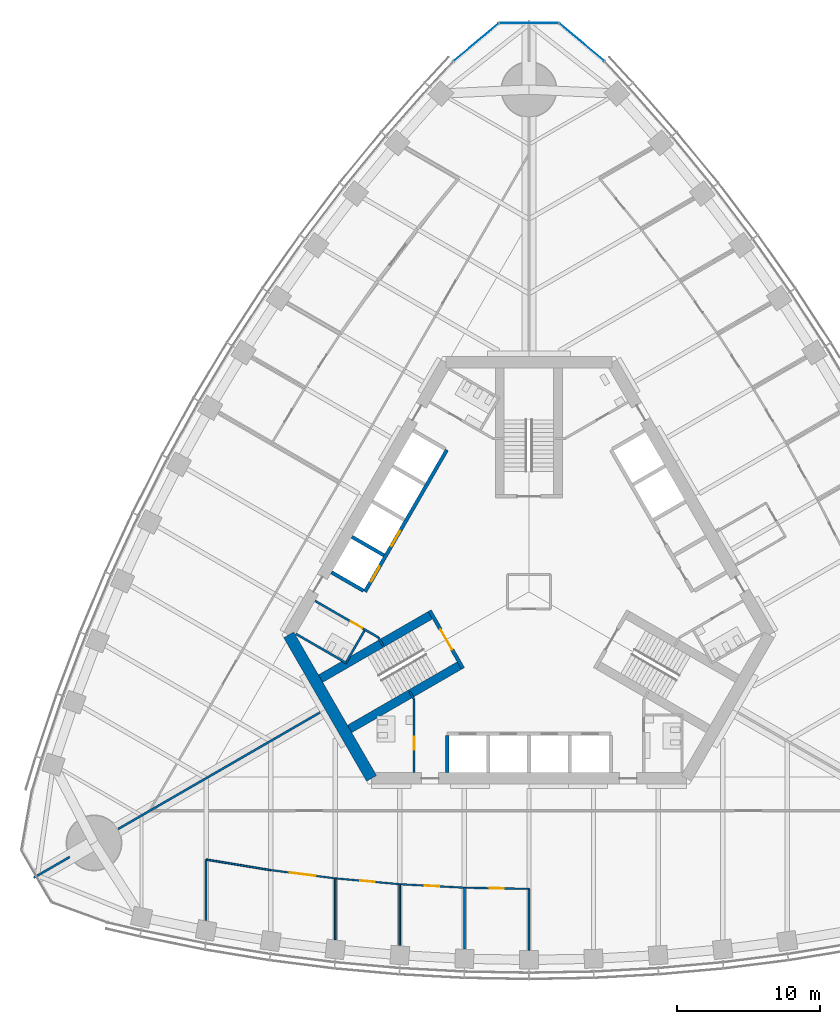
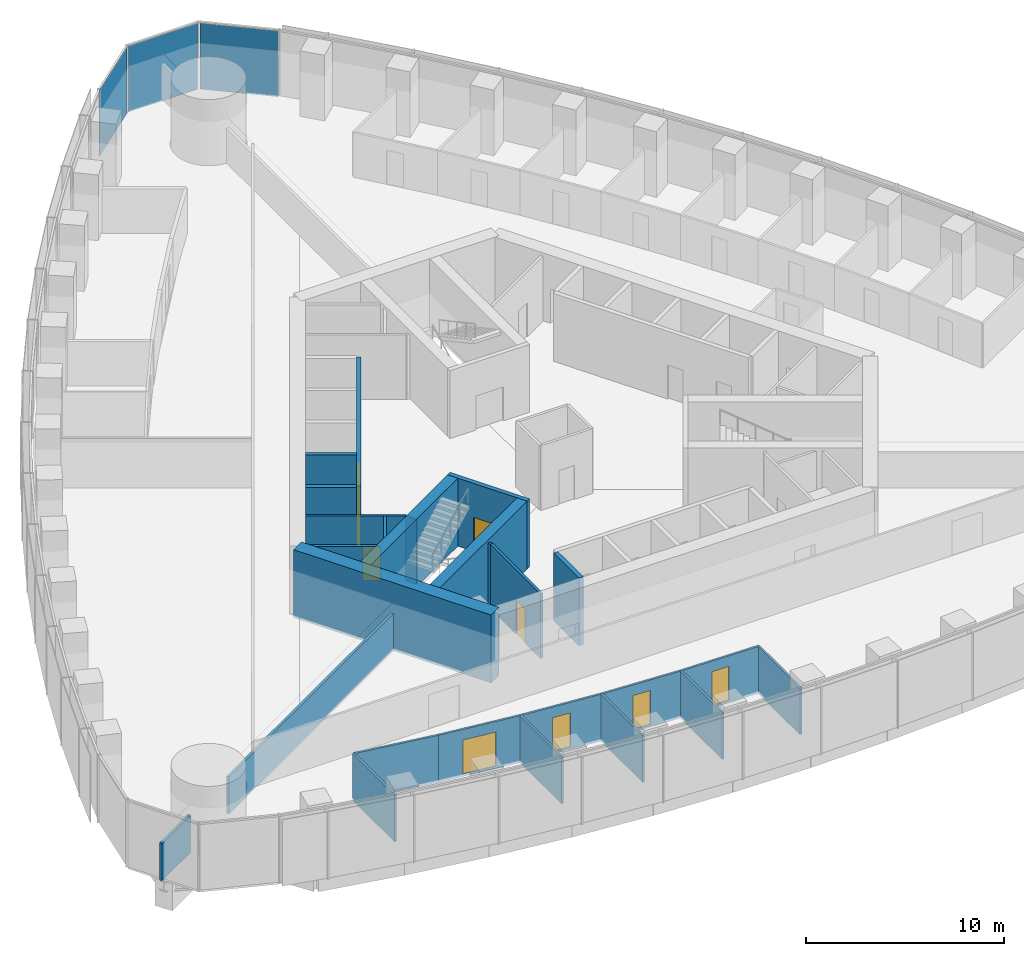
# One storey, part 11 of 19: 26 walls, 9 doors, 3 plates, 9 openings, 1 element without a shape of its own.
"""IFC4 building model written with IfcOpenShell, lengths in metres."""

from ifc_helpers import new_model, si_unit, direction, frame, frame_2d, origin, origin_2d, place, context, subcontext, project, spatial, rectangle, extrude, material, layer, layer_set, type_object, element, fill, aggregate, save


model = new_model("IFC4")

# Units and contexts
model_context = context("Model", 3, precision=1e-05, world=origin(), true_north=direction((0.0, 1.0)))
body_context = subcontext(model_context, "Body", "Model", "MODEL_VIEW")
ifc_project = project(units=[si_unit("LENGTHUNIT", "METRE"), si_unit("AREAUNIT", "SQUARE_METRE"), si_unit("VOLUMEUNIT", "CUBIC_METRE"), si_unit("PLANEANGLEUNIT", "RADIAN"), si_unit("MASSUNIT", "GRAM", prefix="KILO")], contexts=[model_context])

# Site, building, storey
site_placement = place(None, origin())
site = spatial("IfcSite", under=ifc_project, at=site_placement, CompositionType="ELEMENT")
building_placement = place(site_placement, origin())
building = spatial("IfcBuilding", under=site, at=building_placement, Name="Trefoil Bronze Tower", CompositionType="ELEMENT")
storey_placement = place(building_placement, frame((0.0, 0.0, 136.699951171875)))
storey = spatial("IfcBuildingStorey", under=building, at=storey_placement, Name="L31", CompositionType="ELEMENT", Elevation=136.699951171875)

# Curtain wall, plates
ifc_material_1 = material(Name="Tinted solar-control glass", Category="glass")
curtain_wall_type = type_object("IfcCurtainWallType", Name="Bronze rounded corner curtain wall", PredefinedType="USERDEFINED", material=ifc_material_1)
curtain_wall_placement = place(storey_placement, origin())
curtain_wall = element("IfcCurtainWall", 1, at=curtain_wall_placement, inside=storey, type_object=curtain_wall_type, Name="CW-B L31 K2", ObjectType="CURTAIN WALL", PredefinedType="USERDEFINED")
ifc_material_2 = material(Name="Tinted solar-control glass", Category="glass")
ifc_layer_1 = layer(ifc_material_2, 0.030029296875)
ifc_layer_set_1 = layer_set([ifc_layer_1], Name="Bronze rounded corner curtain wall glass panel")
plate_type = type_object("IfcPlateType", Name="Bronze rounded corner curtain wall glass panel", PredefinedType="CURTAIN_PANEL", material=ifc_layer_set_1)
plate_1_placement = place(storey_placement, frame((3.6884765625, 38.294921875, 0.0), z_axis=(0.0, 0.0, 1.0), x_axis=(-0.766044443119, 0.642787609687, 0.0)))
plate_1 = element("IfcPlate", 2, at=plate_1_placement, type_object=plate_type, Name="CW-B L31 K2 panel 1", PredefinedType="CURTAIN_PANEL", context=body_context, shape_type="SweptSolid", body=[
    extrude(rectangle(XDim=4.044189453125, YDim=0.030029296875, at=origin_2d()), origin(), (0.0, 0.0, 1.0), 4.080078125),
])
plate_2_placement = place(storey_placement, frame((0.0, 39.637451171875, 0.0), z_axis=(0.0, 0.0, 1.0), x_axis=(-1.0, 0.0, 0.0)))
plate_2 = element("IfcPlate", 3, at=plate_2_placement, type_object=plate_type, Name="CW-B L31 K2 panel 2", PredefinedType="CURTAIN_PANEL", context=body_context, shape_type="SweptSolid", body=[
    extrude(rectangle(XDim=4.044189453125, YDim=0.030029296875, at=origin_2d()), origin(), (0.0, 0.0, 1.0), 4.080078125),
])
plate_3_placement = place(storey_placement, frame((-3.6884765625, 38.294921875, 0.0), z_axis=(0.0, 0.0, 1.0), x_axis=(-0.766044443119, -0.642787609687, 0.0)))
plate_3 = element("IfcPlate", 4, at=plate_3_placement, type_object=plate_type, Name="CW-B L31 K2 panel 3", PredefinedType="CURTAIN_PANEL", context=body_context, shape_type="SweptSolid", body=[
    extrude(rectangle(XDim=4.044189453125, YDim=0.030029296875, at=origin_2d()), origin(), (0.0, 0.0, 1.0), 4.080078125),
])
aggregate(curtain_wall, [plate_1, plate_2, plate_3])

# Wall
ifc_material_3 = material(Name="Concrete B80", Category="concrete")
ifc_layer_2 = layer(ifc_material_3, 0.800048828125)
ifc_layer_set_2 = layer_set([ifc_layer_2], Name="Core wall 800")
wall_type_1 = type_object("IfcWallType", Name="Core wall 800", PredefinedType="SHEAR", material=ifc_layer_set_2)
wall_1_placement = place(storey_placement, frame((-16.7431640625, -3.0, 0.0), z_axis=(0.0, 0.0, 1.0), x_axis=(0.499995765644, -0.866027848477, 0.0)))
element("IfcWall", 5, at=wall_1_placement, inside=storey, type_object=wall_type_1, Name="Core short wall 3 L31", PredefinedType="SHEAR", context=body_context, shape_type="SweptSolid", body=[
    extrude(rectangle(XDim=11.546875, YDim=0.800048828125, at=frame_2d((5.7734375, 0.0))), origin(), (0.0, 0.0, 1.0), 4.199951171875),
])

# Wall, opening, door
ifc_material_4 = material(Name="Glazed partition", Category="glass")
ifc_layer_3 = layer(ifc_material_4, 0.1201171875)
ifc_layer_set_3 = layer_set([ifc_layer_3], Name="Glazed partition 120")
wall_type_2 = type_object("IfcWallType", Name="Glazed partition 120", PredefinedType="PARTITIONING", material=ifc_layer_set_3)
wall_2_placement = place(storey_placement, frame((-13.5, -19.9677734375, 0.0), z_axis=(0.0, 0.0, 1.0), x_axis=(0.995930325215, -0.090126507295, 0.0)))
wall_2 = element("IfcWall", 6, at=wall_2_placement, inside=storey, type_object=wall_type_2, Name="Partition F1 L31", PredefinedType="PARTITIONING", context=body_context, shape_type="SweptSolid", body=[
    extrude(rectangle(XDim=4.518310546875, YDim=0.1201171875, at=frame_2d((2.25927734375, 0.0))), origin(), (0.0, 0.0, 1.0), 2.900146484375),
])
opening_1_placement = place(wall_2_placement, frame((1.75, 0.0, 0.14990234375)))
opening_1 = element("IfcOpeningElement", 7, at=opening_1_placement, cuts=wall_2, Name="Opening D9", PredefinedType="OPENING", context=body_context, shape_type="SweptSolid", body=[
    extrude(rectangle(XDim=1.0, YDim=2.10009765625, at=frame_2d((0.5, 1.050048828125))), frame((0.0, 0.070068359375, 0.0), z_axis=(0.0, -1.0, 0.0), x_axis=(1.0, 0.0, 0.0)), (0.0, 0.0, 1.0), 0.14013671875),
])
ifc_material_5 = material(Name="Glazed timber door", Category="wood")
door_type_1 = type_object("IfcDoorType", Name="Meeting room door 1000", OperationType="SINGLE_SWING_LEFT", PredefinedType="DOOR", material=ifc_material_5)
door_1_placement = place(opening_1_placement, frame((1.0, 0.0, 0.0), z_axis=(0.0, 0.0, 1.0), x_axis=(-1.0, 0.0, 0.0)))
door_1 = element("IfcDoor", 8, at=door_1_placement, inside=storey, type_object=door_type_1, Name="Meeting room door F1 L31", OperationType="SINGLE_SWING_RIGHT", OverallHeight=2.10009765625, OverallWidth=1.0, PredefinedType="DOOR", context=body_context, shape_type="SweptSolid", body=[
    extrude(rectangle(XDim=1.0, YDim=2.10009765625, at=frame_2d((0.5, 1.050048828125))), frame((0.0, 0.02490234375, 0.0), z_axis=(0.0, -1.0, 0.0), x_axis=(1.0, 0.0, 0.0)), (0.0, 0.0, 1.0), 0.050048828125),
])
fill(opening_1, door_1)

wall_3_placement = place(storey_placement, frame((-18.0, -19.3955078125, 0.0), z_axis=(0.0, 0.0, 1.0), x_axis=(0.992010652594, -0.12615413247, 0.0)))
wall_3 = element("IfcWall", 9, at=wall_3_placement, inside=storey, type_object=wall_type_2, Name="Partition F1 L31", PredefinedType="PARTITIONING", context=body_context, shape_type="SweptSolid", body=[
    extrude(rectangle(XDim=4.5361328125, YDim=0.1201171875, at=frame_2d((2.26806640625, 0.0))), origin(), (0.0, 0.0, 1.0), 2.900146484375),
])
opening_2_placement = place(wall_3_placement, frame((1.35009765625, 0.0, 0.14990234375)))
opening_2 = element("IfcOpeningElement", 10, at=opening_2_placement, cuts=wall_3, Name="Opening D10", PredefinedType="OPENING", context=body_context, shape_type="SweptSolid", body=[
    extrude(rectangle(XDim=1.800048828125, YDim=2.10009765625, at=frame_2d((0.89990234375, 1.050048828125))), frame((0.0, 0.070068359375, 0.0), z_axis=(0.0, -1.0, 0.0), x_axis=(1.0, 0.0, 0.0)), (0.0, 0.0, 1.0), 0.14013671875),
])
ifc_material_6 = material(Name="Timber door", Category="wood")
door_type_2 = type_object("IfcDoorType", Name="Double door 1800", OperationType="DOUBLE_DOOR_SINGLE_SWING", PredefinedType="DOOR", material=ifc_material_6)
door_2_placement = place(opening_2_placement, frame((1.800048828125, 0.0, 0.0), z_axis=(0.0, 0.0, 1.0), x_axis=(-1.0, 0.0, 0.0)))
door_2 = element("IfcDoor", 11, at=door_2_placement, inside=storey, type_object=door_type_2, Name="Kitchen and breakout door F1 L31", OperationType="DOUBLE_DOOR_SINGLE_SWING", OverallHeight=2.10009765625, OverallWidth=1.800048828125, PredefinedType="DOOR", context=body_context, shape_type="SweptSolid", body=[
    extrude(rectangle(XDim=1.800048828125, YDim=2.10009765625, at=frame_2d((0.89990234375, 1.050048828125))), frame((0.0, 0.02490234375, 0.0), z_axis=(0.0, -1.0, 0.0), x_axis=(1.0, 0.0, 0.0)), (0.0, 0.0, 1.0), 0.050048828125),
])
fill(opening_2, door_2)

# Wall
wall_4_placement = place(storey_placement, frame((-22.5, -18.656005859375, 0.0), z_axis=(0.0, 0.0, 1.0), x_axis=(0.986764681833, -0.162158757664, 0.0)))
element("IfcWall", 12, at=wall_4_placement, inside=storey, type_object=wall_type_2, Name="Partition F1 L31", PredefinedType="PARTITIONING", context=body_context, shape_type="SweptSolid", body=[
    extrude(rectangle(XDim=4.560302734375, YDim=0.1201171875, at=frame_2d((2.2802734375, 0.0))), origin(), (0.0, 0.0, 1.0), 2.900146484375),
])

# Wall, opening, door
wall_5_placement = place(storey_placement, frame((-4.5, -20.61865234375, 0.0), z_axis=(0.0, 0.0, 1.0), x_axis=(0.999837820638, -0.018009231578, 0.0)))
wall_5 = element("IfcWall", 13, at=wall_5_placement, inside=storey, type_object=wall_type_2, Name="Partition F1 L31", PredefinedType="PARTITIONING", context=body_context, shape_type="SweptSolid", body=[
    extrude(rectangle(XDim=4.500732421875, YDim=0.1201171875, at=frame_2d((2.25048828125, 0.0))), origin(), (0.0, 0.0, 1.0), 2.900146484375),
])
opening_3_placement = place(wall_5_placement, frame((1.75, 0.0, 0.14990234375)))
opening_3 = element("IfcOpeningElement", 14, at=opening_3_placement, cuts=wall_5, Name="Opening D9", PredefinedType="OPENING", context=body_context, shape_type="SweptSolid", body=[
    extrude(rectangle(XDim=1.0, YDim=2.10009765625, at=frame_2d((0.5, 1.050048828125))), frame((0.0, 0.070068359375, 0.0), z_axis=(0.0, -1.0, 0.0), x_axis=(1.0, 0.0, 0.0)), (0.0, 0.0, 1.0), 0.14013671875),
])
door_3_placement = place(opening_3_placement, frame((1.0, 0.0, 0.0), z_axis=(0.0, 0.0, 1.0), x_axis=(-1.0, 0.0, 0.0)))
door_3 = element("IfcDoor", 15, at=door_3_placement, inside=storey, type_object=door_type_1, Name="Meeting room door F1 L31", OperationType="SINGLE_SWING_RIGHT", OverallHeight=2.10009765625, OverallWidth=1.0, PredefinedType="DOOR", context=body_context, shape_type="SweptSolid", body=[
    extrude(rectangle(XDim=1.0, YDim=2.10009765625, at=frame_2d((0.5, 1.050048828125))), frame((0.0, 0.02490234375, 0.0), z_axis=(0.0, -1.0, 0.0), x_axis=(1.0, 0.0, 0.0)), (0.0, 0.0, 1.0), 0.050048828125),
])
fill(opening_3, door_3)

wall_6_placement = place(storey_placement, frame((-9.0, -20.375, 0.0), z_axis=(0.0, 0.0, 1.0), x_axis=(0.998537376538, -0.054065771581, 0.0)))
wall_6 = element("IfcWall", 16, at=wall_6_placement, inside=storey, type_object=wall_type_2, Name="Partition F1 L31", PredefinedType="PARTITIONING", context=body_context, shape_type="SweptSolid", body=[
    extrude(rectangle(XDim=4.506591796875, YDim=0.1201171875, at=frame_2d((2.25341796875, 0.0))), origin(), (0.0, 0.0, 1.0), 2.900146484375),
])
opening_4_placement = place(wall_6_placement, frame((1.75, 0.0, 0.14990234375)))
opening_4 = element("IfcOpeningElement", 17, at=opening_4_placement, cuts=wall_6, Name="Opening D9", PredefinedType="OPENING", context=body_context, shape_type="SweptSolid", body=[
    extrude(rectangle(XDim=1.0, YDim=2.10009765625, at=frame_2d((0.5, 1.050048828125))), frame((0.0, 0.070068359375, 0.0), z_axis=(0.0, -1.0, 0.0), x_axis=(1.0, 0.0, 0.0)), (0.0, 0.0, 1.0), 0.14013671875),
])
door_4_placement = place(opening_4_placement, frame((1.0, 0.0, 0.0), z_axis=(0.0, 0.0, 1.0), x_axis=(-1.0, 0.0, 0.0)))
door_4 = element("IfcDoor", 18, at=door_4_placement, inside=storey, type_object=door_type_1, Name="Meeting room door F1 L31", OperationType="SINGLE_SWING_RIGHT", OverallHeight=2.10009765625, OverallWidth=1.0, PredefinedType="DOOR", context=body_context, shape_type="SweptSolid", body=[
    extrude(rectangle(XDim=1.0, YDim=2.10009765625, at=frame_2d((0.5, 1.050048828125))), frame((0.0, 0.02490234375, 0.0), z_axis=(0.0, -1.0, 0.0), x_axis=(1.0, 0.0, 0.0)), (0.0, 0.0, 1.0), 0.050048828125),
])
fill(opening_4, door_4)

# Walls
wall_7_placement = place(storey_placement, frame((0.0, -20.69970703125, 0.0), z_axis=(0.0, 0.0, 1.0), x_axis=(0.0, -1.0, 0.0)))
element("IfcWall", 19, at=wall_7_placement, inside=storey, type_object=wall_type_2, Name="Partition F1 L31", PredefinedType="PARTITIONING", context=body_context, shape_type="SweptSolid", body=[
    extrude(rectangle(XDim=4.27001953125, YDim=0.1201171875, at=frame_2d((2.135009765625, 0.0))), origin(), (0.0, 0.0, 1.0), 2.900146484375),
])
wall_8_placement = place(storey_placement, frame((-13.5, -19.9677734375, 0.0), z_axis=(0.0, 0.0, 1.0), x_axis=(0.0, -1.0, 0.0)))
element("IfcWall", 20, at=wall_8_placement, inside=storey, type_object=wall_type_2, Name="Partition F1 L31", PredefinedType="PARTITIONING", context=body_context, shape_type="SweptSolid", body=[
    extrude(rectangle(XDim=4.261474609375, YDim=0.1201171875, at=frame_2d((2.130859375, 0.0))), origin(), (0.0, 0.0, 1.0), 2.900146484375),
])
wall_9_placement = place(storey_placement, frame((-22.5, -18.656005859375, 0.0), z_axis=(0.0, 0.0, 1.0), x_axis=(0.0, -1.0, 0.0)))
element("IfcWall", 21, at=wall_9_placement, inside=storey, type_object=wall_type_2, Name="Partition F1 L31", PredefinedType="PARTITIONING", context=body_context, shape_type="SweptSolid", body=[
    extrude(rectangle(XDim=4.245361328125, YDim=0.1201171875, at=frame_2d((2.12255859375, 0.0))), origin(), (0.0, 0.0, 1.0), 2.900146484375),
])
wall_10_placement = place(storey_placement, frame((-4.5, -20.61865234375, 0.0), z_axis=(0.0, 0.0, 1.0), x_axis=(0.0, -1.0, 0.0)))
element("IfcWall", 22, at=wall_10_placement, inside=storey, type_object=wall_type_2, Name="Partition F1 L31", PredefinedType="PARTITIONING", context=body_context, shape_type="SweptSolid", body=[
    extrude(rectangle(XDim=4.26904296875, YDim=0.1201171875, at=frame_2d((2.134521484375, 0.0))), origin(), (0.0, 0.0, 1.0), 2.900146484375),
])
wall_11_placement = place(storey_placement, frame((-9.0, -20.375, 0.0), z_axis=(0.0, 0.0, 1.0), x_axis=(0.0, -1.0, 0.0)))
element("IfcWall", 23, at=wall_11_placement, inside=storey, type_object=wall_type_2, Name="Partition F1 L31", PredefinedType="PARTITIONING", context=body_context, shape_type="SweptSolid", body=[
    extrude(rectangle(XDim=4.26611328125, YDim=0.1201171875, at=frame_2d((2.133056640625, 0.0))), origin(), (0.0, 0.0, 1.0), 2.900146484375),
])

# Wall, opening, door
ifc_material_7 = material(Name="Gypsum board on steel studs", Category="steel")
ifc_layer_4 = layer(ifc_material_7, 0.14990234375)
ifc_layer_set_4 = layer_set([ifc_layer_4], Name="Partition 150")
wall_type_3 = type_object("IfcWallType", Name="Partition 150", PredefinedType="PARTITIONING", material=ifc_layer_set_4)
wall_12_placement = place(storey_placement, frame((-8.0, -7.5, 0.0), z_axis=(0.0, 0.0, 1.0), x_axis=(0.0, -1.0, 0.0)))
wall_12 = element("IfcWall", 24, at=wall_12_placement, inside=storey, type_object=wall_type_3, Name="Passage wall F1- L31", PredefinedType="PARTITIONING", context=body_context, shape_type="SweptSolid", body=[
    extrude(rectangle(XDim=5.10009765625, YDim=0.14990234375, at=frame_2d((2.550048828125, 0.0))), origin(), (0.0, 0.0, 1.0), 4.0),
])
opening_5_placement = place(wall_12_placement, frame((2.60009765625, 0.0, 0.0)))
opening_5 = element("IfcOpeningElement", 25, at=opening_5_placement, cuts=wall_12, Name="Opening D3", PredefinedType="OPENING", context=body_context, shape_type="SweptSolid", body=[
    extrude(rectangle(XDim=0.89990234375, YDim=2.10009765625, at=frame_2d((0.449951171875, 1.050048828125))), frame((0.0, 0.0849609375, 0.0), z_axis=(0.0, -1.0, 0.0), x_axis=(1.0, 0.0, 0.0)), (0.0, 0.0, 1.0), 0.169921875),
])
ifc_material_8 = material(Name="Timber door", Category="wood")
door_type_3 = type_object("IfcDoorType", Name="WC door 900", OperationType="SINGLE_SWING_LEFT", PredefinedType="DOOR", material=ifc_material_8)
door_5_placement = place(opening_5_placement, frame((0.89990234375, 0.0, 0.0), z_axis=(0.0, 0.0, 1.0), x_axis=(-1.0, 0.0, 0.0)))
door_5 = element("IfcDoor", 26, at=door_5_placement, inside=storey, type_object=door_type_3, Name="WC (women) door L31", OperationType="SINGLE_SWING_LEFT", OverallHeight=2.10009765625, OverallWidth=0.89990234375, PredefinedType="DOOR", context=body_context, shape_type="SweptSolid", body=[
    extrude(rectangle(XDim=0.89990234375, YDim=2.10009765625, at=frame_2d((0.449951171875, 1.050048828125))), frame((0.0, 0.02490234375, 0.0), z_axis=(0.0, -1.0, 0.0), x_axis=(1.0, 0.0, 0.0)), (0.0, 0.0, 1.0), 0.050048828125),
])
fill(opening_5, door_5)

wall_13_placement = place(storey_placement, frame((-10.4951171875, -3.17822265625, 0.0), z_axis=(0.0, 0.0, 1.0), x_axis=(-0.86602216432, 0.500005610874, 0.0)))
wall_13 = element("IfcWall", 27, at=wall_13_placement, inside=storey, type_object=wall_type_3, Name="Passage wall F3+ L31", PredefinedType="PARTITIONING", context=body_context, shape_type="SweptSolid", body=[
    extrude(rectangle(XDim=5.10009765625, YDim=0.14990234375, at=frame_2d((2.550048828125, 0.0))), origin(), (0.0, 0.0, 1.0), 4.0),
])
opening_6_placement = place(wall_13_placement, frame((1.300048828125, 0.0, 0.0)))
opening_6 = element("IfcOpeningElement", 28, at=opening_6_placement, cuts=wall_13, Name="Opening D3", PredefinedType="OPENING", context=body_context, shape_type="SweptSolid", body=[
    extrude(rectangle(XDim=0.89990234375, YDim=2.10009765625, at=frame_2d((0.449951171875, 1.050048828125))), frame((0.0, 0.0849609375, 0.0), z_axis=(0.0, -1.0, 0.0), x_axis=(1.0, 0.0, 0.0)), (0.0, 0.0, 1.0), 0.169921875),
])
door_6_placement = place(opening_6_placement, origin())
door_6 = element("IfcDoor", 29, at=door_6_placement, inside=storey, type_object=door_type_3, Name="WC (men) door L31", OperationType="SINGLE_SWING_LEFT", OverallHeight=2.10009765625, OverallWidth=0.89990234375, PredefinedType="DOOR", context=body_context, shape_type="SweptSolid", body=[
    extrude(rectangle(XDim=0.89990234375, YDim=2.10009765625, at=frame_2d((0.449951171875, 1.050048828125))), frame((0.0, 0.02490234375, 0.0), z_axis=(0.0, -1.0, 0.0), x_axis=(1.0, 0.0, 0.0)), (0.0, 0.0, 1.0), 0.050048828125),
])
fill(opening_6, door_6)

# Walls
for number, where, z_axis, x_axis, name in (
    (30, (-10.4951171875, -3.17822265625, 0.0), (0.0, 0.0, 1.0), (0.499842556608, -0.866116284689, 0.0), "WC wall ST3-1 L31"),
    (31, (-8.0, -7.5, 0.0), (0.0, 0.0, 1.0), (-0.499842556608, 0.866116284689, 0.0), "WC wall ST3+1 L31"),
):
    element("IfcWall", number, at=place(storey_placement, frame(where, z_axis=z_axis, x_axis=x_axis)), inside=storey, type_object=wall_type_3, Name=name, PredefinedType="PARTITIONING", context=body_context, shape_type="SweptSolid", body=[
        extrude(rectangle(XDim=0.645263671875, YDim=0.14990234375, at=frame_2d((0.32275390625, 0.0))), origin(), (0.0, 0.0, 1.0), 4.0),
    ])
wall_14_placement = place(storey_placement, frame((-12.691162109375, -4.98193359375, 0.0), z_axis=(0.0, 0.0, 1.0), x_axis=(-0.8660249478, 0.500000789788, 0.0)))
element("IfcWall", 32, at=wall_14_placement, inside=storey, type_object=wall_type_3, Name="WC partition WC (men) L31", PredefinedType="PARTITIONING", context=body_context, shape_type="SweptSolid", body=[
    extrude(rectangle(XDim=4.10009765625, YDim=0.14990234375, at=frame_2d((2.050048828125, 0.0))), origin(), (0.0, 0.0, 1.0), 4.0),
])
wall_15_placement = place(storey_placement, frame((-11.463623046875, -2.70556640625, 0.0), z_axis=(0.0, 0.0, 1.0), x_axis=(-0.50001992892, -0.866013897511, 0.0)))
element("IfcWall", 33, at=wall_15_placement, inside=storey, type_object=wall_type_3, Name="WC partition WC (men) L31", PredefinedType="PARTITIONING", context=body_context, shape_type="SweptSolid", body=[
    extrude(rectangle(XDim=2.51025390625, YDim=0.14990234375, at=frame_2d((1.255126953125, 0.0))), origin(), (0.0, 0.0, 1.0), 4.0),
])
ifc_material_9 = material(Name="Gypsum board on steel studs", Category="steel")
ifc_layer_5 = layer(ifc_material_9, 0.14990234375)
ifc_layer_set_5 = layer_set([ifc_layer_5], Name="Party wall 150")
wall_type_4 = type_object("IfcWallType", Name="Party wall 150", PredefinedType="PARTITIONING", material=ifc_layer_set_5)
wall_16_placement = place(storey_placement, frame((-14.202880859375, -8.199951171875, 0.0), z_axis=(0.0, 0.0, 1.0), x_axis=(-0.866024668836, -0.500001272966, 0.0)))
element("IfcWall", 34, at=wall_16_placement, inside=storey, type_object=wall_type_4, Name="Party wall K3 L31", PredefinedType="PARTITIONING", context=body_context, shape_type="SweptSolid", body=[
    extrude(rectangle(XDim=16.64990234375, YDim=0.14990234375, at=frame_2d((8.324951171875, 0.0))), origin(), (0.0, 0.0, 1.0), 2.300048828125),
])
wall_17_placement = place(storey_placement, frame((-31.999755859375, -18.47509765625, 0.0), z_axis=(0.0, 0.0, 1.0), x_axis=(-0.866042548026, -0.499970304126, 0.0)))
element("IfcWall", 35, at=wall_17_placement, inside=storey, type_object=wall_type_4, Name="Party wall K3 L31", PredefinedType="PARTITIONING", context=body_context, shape_type="SweptSolid", body=[
    extrude(rectangle(XDim=2.899169921875, YDim=0.14990234375, at=frame_2d((1.44970703125, 0.0))), origin(), (0.0, 0.0, 1.0), 2.300048828125),
])
ifc_material_10 = material(Name="Concrete B80", Category="concrete")
ifc_layer_6 = layer(ifc_material_10, 0.25)
ifc_layer_set_6 = layer_set([ifc_layer_6], Name="Shaft wall 250")
wall_type_5 = type_object("IfcWallType", Name="Shaft wall 250", PredefinedType="SHEAR", material=ifc_layer_set_6)
wall_18_placement = place(storey_placement, frame((-5.699951171875, -10.02490234375, 0.0), z_axis=(0.0, 0.0, 1.0), x_axis=(0.0, -1.0, 0.0)))
element("IfcWall", 36, at=wall_18_placement, inside=storey, type_object=wall_type_5, Name="Lift shaft side wall A0 L31", PredefinedType="SHEAR", context=body_context, shape_type="SweptSolid", body=[
    extrude(rectangle(XDim=2.5751953125, YDim=0.25, at=frame_2d((1.28759765625, 0.0))), origin(), (0.0, 0.0, 1.0), 4.199951171875),
])

# Wall, openings, doors
wall_19_placement = place(storey_placement, frame((-5.7236328125, 9.88623046875, 0.0), z_axis=(0.0, 0.0, 1.0), x_axis=(-0.500001763848, -0.866024385424, 0.0)))
wall_19 = element("IfcWall", 37, at=wall_19_placement, inside=storey, type_object=wall_type_5, Name="Lift shaft front wall C L31", PredefinedType="SHEAR", context=body_context, shape_type="SweptSolid", body=[
    extrude(rectangle(XDim=11.39990234375, YDim=0.25, at=frame_2d((5.699951171875, 0.0))), origin(), (0.0, 0.0, 1.0), 4.199951171875),
])
opening_7_placement = place(wall_19_placement, frame((6.52490234375, 0.0, 0.0)))
opening_7 = element("IfcOpeningElement", 38, at=opening_7_placement, cuts=wall_19, Name="Opening LD-FL1", PredefinedType="OPENING", context=body_context, shape_type="SweptSolid", body=[
    extrude(rectangle(XDim=1.199951171875, YDim=2.199951171875, at=frame_2d((0.60009765625, 1.10009765625))), frame((0.0, 0.135009765625, 0.0), z_axis=(0.0, -1.0, 0.0), x_axis=(1.0, 0.0, 0.0)), (0.0, 0.0, 1.0), 0.27001953125),
])
opening_8_placement = place(wall_19_placement, frame((9.375, 0.0, 0.0)))
opening_8 = element("IfcOpeningElement", 39, at=opening_8_placement, cuts=wall_19, Name="Opening LD-FL2", PredefinedType="OPENING", context=body_context, shape_type="SweptSolid", body=[
    extrude(rectangle(XDim=1.199951171875, YDim=2.199951171875, at=frame_2d((0.60009765625, 1.10009765625))), frame((0.0, 0.135009765625, 0.0), z_axis=(0.0, -1.0, 0.0), x_axis=(1.0, 0.0, 0.0)), (0.0, 0.0, 1.0), 0.27001953125),
])
ifc_material_11 = material(Name="Steel door", Category="steel")
door_type_4 = type_object("IfcDoorType", Name="Lift landing door 1200", OperationType="DOUBLE_DOOR_SLIDING", PredefinedType="DOOR", material=ifc_material_11)
door_7_placement = place(opening_7_placement, origin())
door_7 = element("IfcDoor", 40, at=door_7_placement, inside=storey, type_object=door_type_4, Name="Lift FL1 landing door L31", OperationType="DOUBLE_DOOR_SLIDING", OverallHeight=2.199951171875, OverallWidth=1.199951171875, PredefinedType="DOOR", context=body_context, shape_type="SweptSolid", body=[
    extrude(rectangle(XDim=1.199951171875, YDim=2.199951171875, at=frame_2d((0.60009765625, 1.10009765625))), frame((0.0, 0.02490234375, 0.0), z_axis=(0.0, -1.0, 0.0), x_axis=(1.0, 0.0, 0.0)), (0.0, 0.0, 1.0), 0.050048828125),
])
fill(opening_7, door_7)
door_8_placement = place(opening_8_placement, origin())
door_8 = element("IfcDoor", 41, at=door_8_placement, inside=storey, type_object=door_type_4, Name="Lift FL2 landing door L31", OperationType="DOUBLE_DOOR_SLIDING", OverallHeight=2.199951171875, OverallWidth=1.199951171875, PredefinedType="DOOR", context=body_context, shape_type="SweptSolid", body=[
    extrude(rectangle(XDim=1.199951171875, YDim=2.199951171875, at=frame_2d((0.60009765625, 1.10009765625))), frame((0.0, 0.02490234375, 0.0), z_axis=(0.0, -1.0, 0.0), x_axis=(1.0, 0.0, 0.0)), (0.0, 0.0, 1.0), 0.050048828125),
])
fill(opening_8, door_8)

# Walls
for number, where, z_axis, x_axis, name in (
    (42, (-10.10693359375, 2.54443359375, 0.0), (0.0, 0.0, 1.0), (-0.866046643894, 0.499963209246, 0.0), "Lift shaft side wall C3 L31"),
    (43, (-11.531982421875, 0.076171875, 0.0), (0.0, 0.0, 1.0), (-0.866005588531, 0.500034319456, 0.0), "Lift shaft side wall C4 L31"),
):
    element("IfcWall", number, at=place(storey_placement, frame(where, z_axis=z_axis, x_axis=x_axis)), inside=storey, type_object=wall_type_5, Name=name, PredefinedType="SHEAR", context=body_context, shape_type="SweptSolid", body=[
        extrude(rectangle(XDim=2.574951171875, YDim=0.25, at=frame_2d((1.28759765625, 0.0))), origin(), (0.0, 0.0, 1.0), 4.199951171875),
    ])

# Wall, opening, door
wall_20_placement = place(storey_placement, frame((-6.921630859375, -1.3115234375, 0.0), z_axis=(0.0, 0.0, 1.0), x_axis=(0.499984536904, -0.866034331223, 0.0)))
wall_20 = element("IfcWall", 44, at=wall_20_placement, inside=storey, type_object=wall_type_5, Name="Stair end wall ST3 L31", PredefinedType="SHEAR", context=body_context, shape_type="SweptSolid", body=[
    extrude(rectangle(XDim=4.650146484375, YDim=0.25, at=frame_2d((2.3251953125, 0.0))), origin(), (0.0, 0.0, 1.0), 4.199951171875),
])
opening_9_placement = place(wall_20_placement, frame((1.52490234375, 0.0, 0.0)))
opening_9 = element("IfcOpeningElement", 45, at=opening_9_placement, cuts=wall_20, Name="Opening D1", PredefinedType="OPENING", context=body_context, shape_type="SweptSolid", body=[
    extrude(rectangle(XDim=1.60009765625, YDim=2.10009765625, at=frame_2d((0.800048828125, 1.050048828125))), frame((0.0, 0.135009765625, 0.0), z_axis=(0.0, -1.0, 0.0), x_axis=(1.0, 0.0, 0.0)), (0.0, 0.0, 1.0), 0.27001953125),
])
ifc_material_12 = material(Name="Steel door", Category="steel")
door_type_5 = type_object("IfcDoorType", Name="Stair door 1600", OperationType="DOUBLE_DOOR_SINGLE_SWING", PredefinedType="DOOR", material=ifc_material_12)
door_9_placement = place(opening_9_placement, frame((1.60009765625, 0.0, 0.0), z_axis=(0.0, 0.0, 1.0), x_axis=(-1.0, 0.0, 0.0)))
door_9 = element("IfcDoor", 46, at=door_9_placement, inside=storey, type_object=door_type_5, Name="Stair door ST3 L31", OperationType="DOUBLE_DOOR_SINGLE_SWING", OverallHeight=2.10009765625, OverallWidth=1.60009765625, PredefinedType="DOOR", context=body_context, shape_type="SweptSolid", body=[
    extrude(rectangle(XDim=1.60009765625, YDim=2.10009765625, at=frame_2d((0.800048828125, 1.050048828125))), frame((0.0, 0.02490234375, 0.0), z_axis=(0.0, -1.0, 0.0), x_axis=(1.0, 0.0, 0.0)), (0.0, 0.0, 1.0), 0.050048828125),
])
fill(opening_9, door_9)

# Walls
ifc_material_13 = material(Name="Concrete B80", Category="concrete")
ifc_layer_7 = layer(ifc_material_13, 0.60009765625)
ifc_layer_set_7 = layer_set([ifc_layer_7], Name="Stair wall 600")
wall_type_6 = type_object("IfcWallType", Name="Stair wall 600", PredefinedType="SHEAR", material=ifc_layer_set_7)
for number, where, z_axis, x_axis, name in (
    (47, (-6.663330078125, -1.5087890625, 0.0), (0.0, 0.0, 1.0), (-0.866019375473, -0.500010441196, 0.0), "Stair wall ST3 L31"),
    (48, (-4.638427734375, -5.01611328125, 0.0), (0.0, 0.0, 1.0), (-0.866019375473, -0.500010441196, 0.0), "Stair wall ST3 L31"),
):
    element("IfcWall", number, at=place(storey_placement, frame(where, z_axis=z_axis, x_axis=x_axis)), inside=storey, type_object=wall_type_6, Name=name, PredefinedType="SHEAR", context=body_context, shape_type="SweptSolid", body=[
        extrude(rectangle(XDim=9.074951171875, YDim=0.60009765625, at=frame_2d((4.53759765625, 0.0))), origin(), (0.0, 0.0, 1.0), 4.199951171875),
    ])

save(model, "model.ifc")
